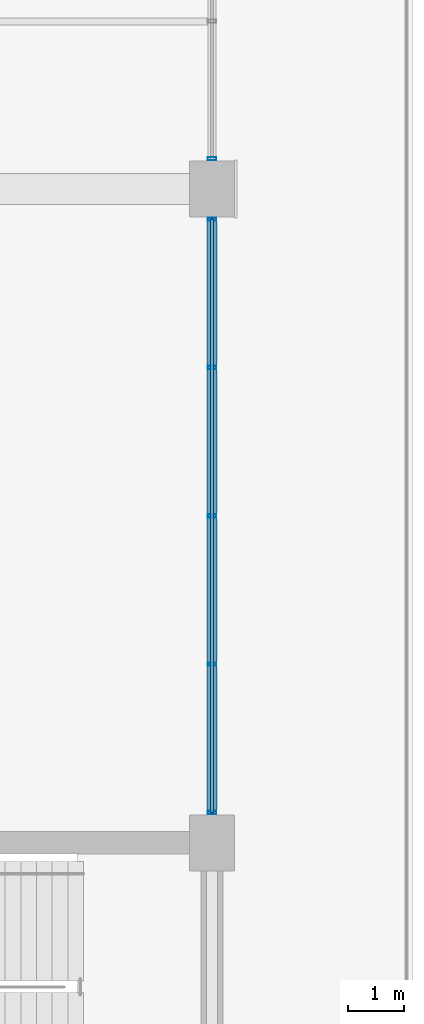
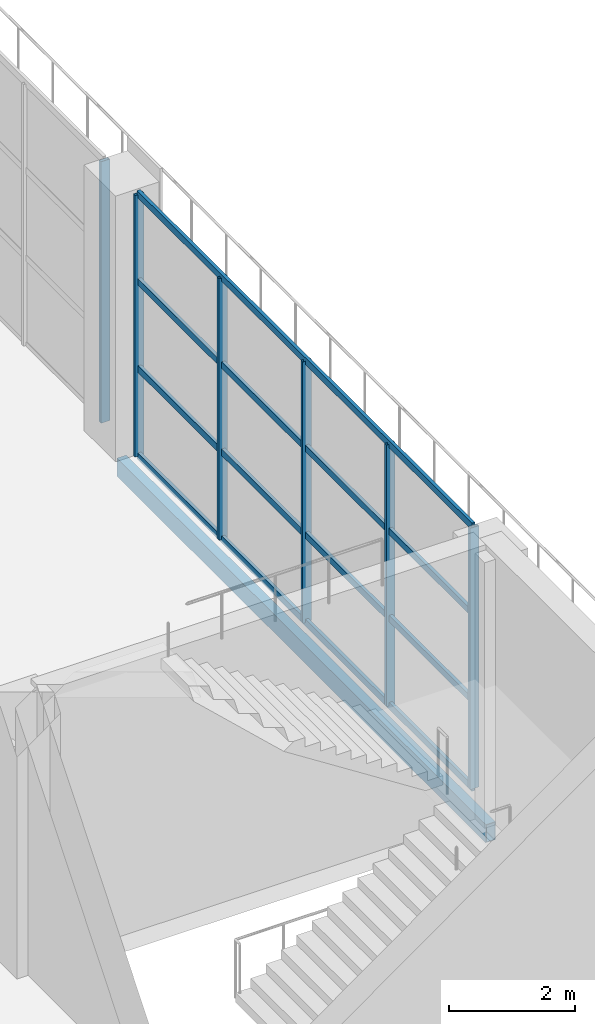
# One storey, part 14 of 90: 10 members, 1 beam, 2 elements without a shape of their own.
"""IFC4 building model written with IfcOpenShell, lengths in metres."""

from ifc_helpers import new_model, si_unit, direction, frame, origin, origin_2d, place, context, subcontext, project, spatial, hollow_rectangle, extrude, material, material_profile, profile_set, type_object, element, aggregate, save


model = new_model("IFC4")

# Units and contexts
model_context = context("Model", 3, precision=1e-05, world=origin(), true_north=direction((0.0, 1.0)))
body_context = subcontext(model_context, "Body", "Model", "MODEL_VIEW")
ifc_project = project(units=[si_unit("LENGTHUNIT", "METRE"), si_unit("AREAUNIT", "SQUARE_METRE"), si_unit("VOLUMEUNIT", "CUBIC_METRE"), si_unit("PLANEANGLEUNIT", "RADIAN"), si_unit("MASSUNIT", "GRAM", prefix="KILO")], contexts=[model_context])

# Site, building, storey
site_placement = place(None, origin())
site = spatial("IfcSite", under=ifc_project, at=site_placement, CompositionType="ELEMENT")
building_placement = place(site_placement, origin())
building = spatial("IfcBuilding", under=site, at=building_placement, Name="Solvikara Media Centre", CompositionType="ELEMENT")
storey_placement = place(building_placement, origin())
storey = spatial("IfcBuildingStorey", under=building, at=storey_placement, Name="L00", CompositionType="ELEMENT", Elevation=0.0)

# Beam
ifc_material_1 = material(Name="Steel S355JR", Category="steel")
ifc_material_profile_1 = material_profile(ifc_material_1, hollow_rectangle(XDim=0.175048828125, YDim=0.35009765625, WallThickness=0.010009765625, at=origin_2d()), Name="RHS 350x175x10")
ifc_profile_set_1 = profile_set([ifc_material_profile_1], Name="Steel S355JR")
beam_type = type_object("IfcBeamType", Name="BM-34", PredefinedType="SPANDREL", material=ifc_profile_set_1)
beam_placement = place(storey_placement, frame((34.0, 44.800048828125, -0.51708984375), z_axis=(0.0, 1.0, 0.0), x_axis=(-1.0, 0.0, 0.0)))
element("IfcBeam", 1, at=beam_placement, inside=storey, type_object=beam_type, Name="B-L00-Y0154", PredefinedType="SPANDREL", context=body_context, shape_type="SweptSolid", body=[
    extrude(hollow_rectangle(XDim=0.175048828125, YDim=0.35009765625, WallThickness=0.010009765625, at=origin_2d()), origin(), (0.0, 0.0, 1.0), 11.699951171875),
])

# Curtain wall, members
ifc_material_2 = material(Name="Anodised aluminium EN AW-6063", Category="aluminium")
curtain_wall_type = type_object("IfcCurtainWallType", Name="CW-06", PredefinedType="NOTDEFINED", material=ifc_material_2)
curtain_wall_1_placement = place(storey_placement, origin())
curtain_wall_1 = element("IfcCurtainWall", 2, at=curtain_wall_1_placement, inside=storey, type_object=curtain_wall_type, Name="CW-L00-V4E-1-S1", PredefinedType="NOTDEFINED")
ifc_material_profile_2 = material_profile(ifc_material_2, hollow_rectangle(XDim=0.06005859375, YDim=0.159912109375, WallThickness=0.00341796875, at=origin_2d()), Name="ALU-M 60x160x3.5")
ifc_profile_set_2 = profile_set([ifc_material_profile_2], Name="Anodised aluminium EN AW-6063")
member_type_1 = type_object("IfcMemberType", Name="MF-04", PredefinedType="MULLION", material=ifc_profile_set_2)
member_1_placement = place(storey_placement, frame((34.0, 45.340087890625, 0.02001953125), z_axis=(0.0, 0.0, 1.0), x_axis=(0.0, 1.0, 0.0)))
member_1 = element("IfcMember", 3, at=member_1_placement, type_object=member_type_1, Name="CW-L00-V4E-1-S1-M00", PredefinedType="MULLION", context=body_context, shape_type="SweptSolid", body=[
    extrude(hollow_rectangle(XDim=0.06005859375, YDim=0.159912109375, WallThickness=0.00341796875, at=origin_2d()), origin(), (0.0, 0.0, 1.0), 5.06005859375),
])
member_2_placement = place(storey_placement, frame((34.0, 47.9951171875, 0.02001953125), z_axis=(0.0, 0.0, 1.0), x_axis=(0.0, 1.0, 0.0)))
member_2 = element("IfcMember", 4, at=member_2_placement, type_object=member_type_1, Name="CW-L00-V4E-1-S1-M01", PredefinedType="MULLION", context=body_context, shape_type="SweptSolid", body=[
    extrude(hollow_rectangle(XDim=0.06005859375, YDim=0.159912109375, WallThickness=0.00341796875, at=origin_2d()), origin(), (0.0, 0.0, 1.0), 5.06005859375),
])
member_3_placement = place(storey_placement, frame((34.0, 50.64990234375, 0.02001953125), z_axis=(0.0, 0.0, 1.0), x_axis=(0.0, 1.0, 0.0)))
member_3 = element("IfcMember", 5, at=member_3_placement, type_object=member_type_1, Name="CW-L00-V4E-1-S1-M02", PredefinedType="MULLION", context=body_context, shape_type="SweptSolid", body=[
    extrude(hollow_rectangle(XDim=0.06005859375, YDim=0.159912109375, WallThickness=0.00341796875, at=origin_2d()), origin(), (0.0, 0.0, 1.0), 5.06005859375),
])
member_4_placement = place(storey_placement, frame((34.0, 53.304931640625, 0.02001953125), z_axis=(0.0, 0.0, 1.0), x_axis=(0.0, 1.0, 0.0)))
member_4 = element("IfcMember", 6, at=member_4_placement, type_object=member_type_1, Name="CW-L00-V4E-1-S1-M03", PredefinedType="MULLION", context=body_context, shape_type="SweptSolid", body=[
    extrude(hollow_rectangle(XDim=0.06005859375, YDim=0.159912109375, WallThickness=0.00341796875, at=origin_2d()), origin(), (0.0, 0.0, 1.0), 5.06005859375),
])
member_5_placement = place(storey_placement, frame((34.0, 55.9599609375, 0.02001953125), z_axis=(0.0, 0.0, 1.0), x_axis=(0.0, 1.0, 0.0)))
member_5 = element("IfcMember", 7, at=member_5_placement, type_object=member_type_1, Name="CW-L00-V4E-1-S1-M04", PredefinedType="MULLION", context=body_context, shape_type="SweptSolid", body=[
    extrude(hollow_rectangle(XDim=0.06005859375, YDim=0.159912109375, WallThickness=0.00341796875, at=origin_2d()), origin(), (0.0, 0.0, 1.0), 5.06005859375),
])

# Curtain wall, member
curtain_wall_2_placement = place(storey_placement, origin())
curtain_wall_2 = element("IfcCurtainWall", 8, at=curtain_wall_2_placement, inside=storey, type_object=curtain_wall_type, Name="CW-L00-V4E-1-S2", PredefinedType="NOTDEFINED")
member_6_placement = place(storey_placement, frame((34.0, 57.0400390625, 0.02001953125), z_axis=(0.0, 0.0, 1.0), x_axis=(0.0, 1.0, 0.0)))
member_6 = element("IfcMember", 9, at=member_6_placement, type_object=member_type_1, Name="CW-L00-V4E-1-S2-M00", PredefinedType="MULLION", context=body_context, shape_type="SweptSolid", body=[
    extrude(hollow_rectangle(XDim=0.06005859375, YDim=0.159912109375, WallThickness=0.00341796875, at=origin_2d()), origin(), (0.0, 0.0, 1.0), 5.06005859375),
])
aggregate(curtain_wall_2, [member_6])

# Member
ifc_material_profile_3 = material_profile(ifc_material_2, hollow_rectangle(XDim=0.06005859375, YDim=0.1298828125, WallThickness=0.0029296875, at=origin_2d()), Name="ALU-T 60x130x3")
ifc_profile_set_3 = profile_set([ifc_material_profile_3], Name="Anodised aluminium EN AW-6063")
member_type_2 = type_object("IfcMemberType", Name="MF-10", PredefinedType="USERDEFINED", material=ifc_profile_set_3)
member_7_placement = place(storey_placement, frame((34.0, 45.340087890625, 0.02001953125), z_axis=(0.0, 1.0, 0.0), x_axis=(-1.0, 0.0, 0.0)))
member_7 = element("IfcMember", 10, at=member_7_placement, type_object=member_type_2, Name="CW-L00-V4E-1-S1-T00", ObjectType="TRANSOM", PredefinedType="USERDEFINED", context=body_context, shape_type="SweptSolid", body=[
    extrude(hollow_rectangle(XDim=0.06005859375, YDim=0.1298828125, WallThickness=0.0029296875, at=origin_2d()), origin(), (0.0, 0.0, 1.0), 10.619873046875),
])

member_8_placement = place(storey_placement, frame((34.0, 45.340087890625, 1.70703125), z_axis=(0.0, 1.0, 0.0), x_axis=(-1.0, 0.0, 0.0)))
member_8 = element("IfcMember", 11, at=member_8_placement, type_object=member_type_2, Name="CW-L00-V4E-1-S1-T01", ObjectType="TRANSOM", PredefinedType="USERDEFINED", context=body_context, shape_type="SweptSolid", body=[
    extrude(hollow_rectangle(XDim=0.06005859375, YDim=0.1298828125, WallThickness=0.0029296875, at=origin_2d()), origin(), (0.0, 0.0, 1.0), 10.619873046875),
])

member_9_placement = place(storey_placement, frame((34.0, 45.340087890625, 3.39306640625), z_axis=(0.0, 1.0, 0.0), x_axis=(-1.0, 0.0, 0.0)))
member_9 = element("IfcMember", 12, at=member_9_placement, type_object=member_type_2, Name="CW-L00-V4E-1-S1-T02", ObjectType="TRANSOM", PredefinedType="USERDEFINED", context=body_context, shape_type="SweptSolid", body=[
    extrude(hollow_rectangle(XDim=0.06005859375, YDim=0.1298828125, WallThickness=0.0029296875, at=origin_2d()), origin(), (0.0, 0.0, 1.0), 10.619873046875),
])

member_10_placement = place(storey_placement, frame((34.0, 45.340087890625, 5.080078125), z_axis=(0.0, 1.0, 0.0), x_axis=(-1.0, 0.0, 0.0)))
member_10 = element("IfcMember", 13, at=member_10_placement, type_object=member_type_2, Name="CW-L00-V4E-1-S1-T03", ObjectType="TRANSOM", PredefinedType="USERDEFINED", context=body_context, shape_type="SweptSolid", body=[
    extrude(hollow_rectangle(XDim=0.06005859375, YDim=0.1298828125, WallThickness=0.0029296875, at=origin_2d()), origin(), (0.0, 0.0, 1.0), 10.619873046875),
])

aggregate(curtain_wall_1, [member_1, member_2, member_3, member_4, member_5, member_7, member_8, member_9, member_10])

save(model, "model.ifc")
